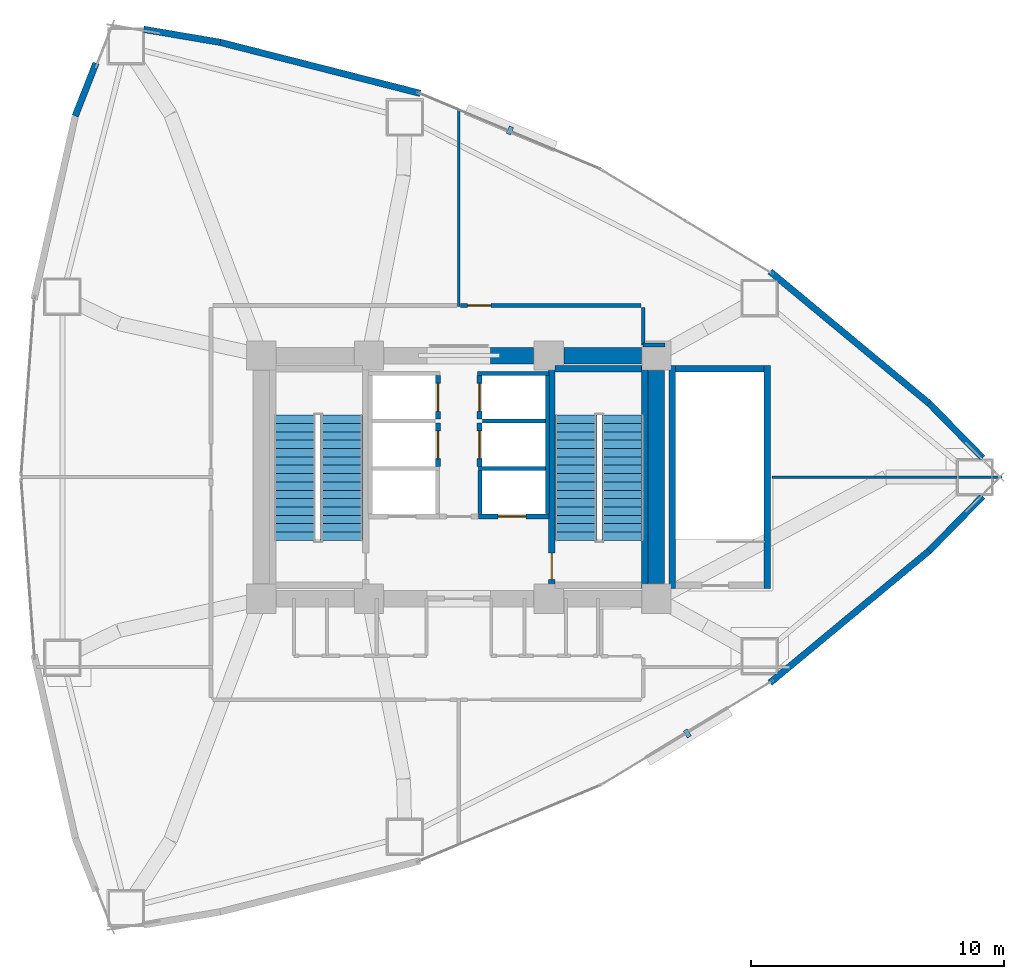
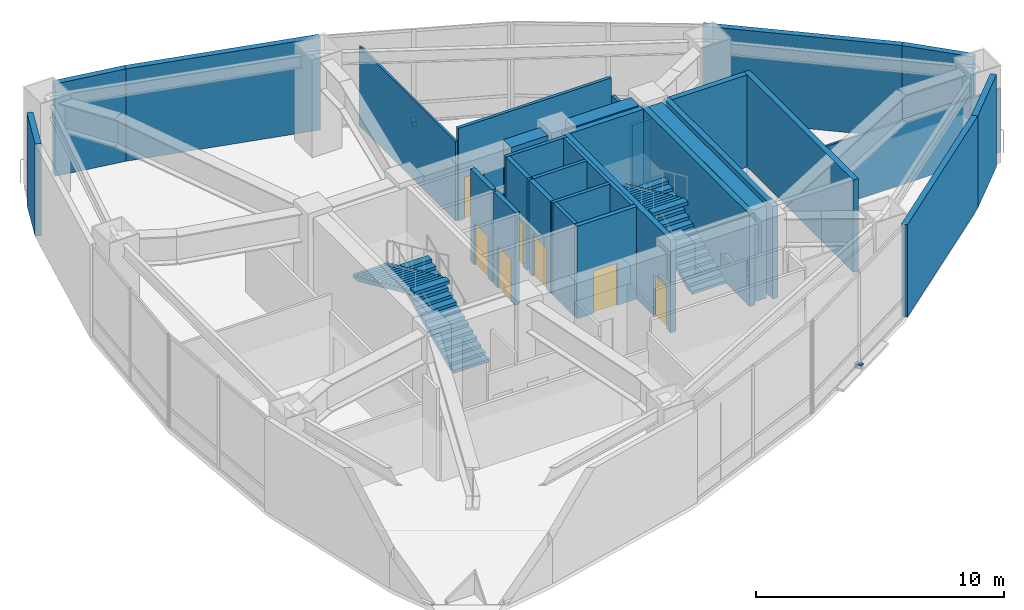
# One storey, part 17 of 19: 31 walls, 7 doors, 4 stair flights, 2 discrete accessories, 7 openings, 2 elements without a shape of their own.
"""IFC4 building model written with IfcOpenShell, lengths in metres."""

from ifc_helpers import new_model, si_unit, direction, frame, frame_2d, origin, origin_2d, place, context, subcontext, project, spatial, polyline, rectangle, outline, extrude, material, layer, layer_set, type_object, element, fill, aggregate, save


model = new_model("IFC4")

# Units and contexts
model_context = context("Model", 3, precision=1e-05, world=origin(), true_north=direction((0.0, 1.0)))
body_context = subcontext(model_context, "Body", "Model", "MODEL_VIEW")
ifc_project = project(units=[si_unit("LENGTHUNIT", "METRE"), si_unit("AREAUNIT", "SQUARE_METRE"), si_unit("VOLUMEUNIT", "CUBIC_METRE"), si_unit("PLANEANGLEUNIT", "RADIAN"), si_unit("MASSUNIT", "GRAM", prefix="KILO")], contexts=[model_context])

# Site, building, storey
site_placement = place(None, origin())
site = spatial("IfcSite", under=ifc_project, at=site_placement, CompositionType="ELEMENT")
building_placement = place(site_placement, origin())
building = spatial("IfcBuilding", under=site, at=building_placement, Name="Menara Vayukalpa", CompositionType="ELEMENT")
storey_placement = place(building_placement, frame((0.0, 0.0, 22.800048828125)))
storey = spatial("IfcBuildingStorey", under=building, at=storey_placement, Name="L04", CompositionType="ELEMENT", Elevation=22.800048828125)

# Walls
ifc_material_1 = material(Name="Concrete C80/95", Category="concrete")
ifc_layer_1 = layer(ifc_material_1, 0.64990234375)
ifc_layer_set_1 = layer_set([ifc_layer_1], Name="Concrete C80/95")
wall_type_1 = type_object("IfcWallType", Name="WAL-CW650", PredefinedType="SHEAR", material=ifc_layer_set_1)
wall_1_placement = place(storey_placement, frame((26.85009765625, 26.800048828125, 0.0), z_axis=(0.0, 0.0, 1.0), x_axis=(1.0, 0.0, 0.0)))
element("IfcWall", 1, at=wall_1_placement, inside=storey, type_object=wall_type_1, Name="L04 Buttressed Core Shear Wall CWN3", PredefinedType="SHEAR", context=body_context, shape_type="SweptSolid", body=[
    extrude(rectangle(XDim=1.704833984375, YDim=0.64990234375, at=frame_2d((0.8525390625, 0.0))), origin(), (0.0, 0.0, 1.0), 4.550048828125),
])
wall_2_placement = place(storey_placement, frame((29.7451171875, 26.800048828125, 0.0), z_axis=(0.0, 0.0, 1.0), x_axis=(1.0, 0.0, 0.0)))
element("IfcWall", 2, at=wall_2_placement, inside=storey, type_object=wall_type_1, Name="L04 Buttressed Core Shear Wall CWN4", PredefinedType="SHEAR", context=body_context, shape_type="SweptSolid", body=[
    extrude(rectangle(XDim=3.059814453125, YDim=0.64990234375, at=frame_2d((1.52978515625, 0.0))), origin(), (0.0, 0.0, 1.0), 4.550048828125),
])
wall_3_placement = place(storey_placement, frame((33.39990234375, 17.794921875, 0.0), z_axis=(0.0, 0.0, 1.0), x_axis=(0.0, 1.0, 0.0)))
element("IfcWall", 3, at=wall_3_placement, inside=storey, type_object=wall_type_1, Name="L04 Buttressed Core Shear Wall CWE1", PredefinedType="SHEAR", context=body_context, shape_type="SweptSolid", body=[
    extrude(rectangle(XDim=8.41015625, YDim=0.64990234375, at=frame_2d((4.205078125, 0.0))), origin(), (0.0, 0.0, 1.0), 4.550048828125),
])
ifc_material_2 = material(Name="Insulated Precast Concrete C40/50", Category="concrete")
ifc_layer_2 = layer(ifc_material_2, 0.260009765625)
ifc_layer_set_2 = layer_set([ifc_layer_2], Name="Insulated Precast Concrete C40/50")
wall_type_2 = type_object("IfcWallType", Name="WAL-EXT260", PredefinedType="PARTITIONING", material=ifc_layer_set_2)
for number, where, z_axis, x_axis, name in (
    (4, (46.28466796875, 21.24169921875, 0.0), (0.0, 0.0, 1.0), (-0.700577373018, -0.713576446091, 0.0), "L04 Perimeter Terracotta Pier Wall 01"),
    (5, (44.166259765625, 24.916015625, 0.0), (0.0, 0.0, 1.0), (0.700577373018, -0.713576446091, 0.0), "L04 Perimeter Terracotta Pier Wall 02"),
):
    element("IfcWall", number, at=place(storey_placement, frame(where, z_axis=z_axis, x_axis=x_axis)), inside=storey, type_object=wall_type_2, Name=name, PredefinedType="PARTITIONING", context=body_context, shape_type="SweptSolid", body=[
        extrude(rectangle(XDim=3.023681640625, YDim=0.260009765625, at=frame_2d((1.51171875, 0.0))), origin(), (0.0, 0.0, 1.0), 4.550048828125),
    ])
for number, where, z_axis, x_axis, name in (
    (6, (37.888427734375, 30.121337890625, 0.0), (0.0, 0.0, 1.0), (0.769752944783, -0.638341917782, 0.0), "L04 Perimeter Terracotta Pier Wall 03"),
    (7, (16.167724609375, 39.171142578125, 0.0), (0.0, 0.0, 1.0), (0.968981557045, -0.247133045354, 0.0), "L04 Perimeter Terracotta Pier Wall 06"),
):
    element("IfcWall", number, at=place(storey_placement, frame(where, z_axis=z_axis, x_axis=x_axis)), inside=storey, type_object=wall_type_2, Name=name, PredefinedType="PARTITIONING", context=body_context, shape_type="SweptSolid", body=[
        extrude(rectangle(XDim=8.1669921875, YDim=0.260009765625, at=frame_2d((4.08349609375, 0.0))), origin(), (0.0, 0.0, 1.0), 4.550048828125),
    ])
wall_4_placement = place(storey_placement, frame((13.158203125, 39.681396484375, 0.0), z_axis=(0.0, 0.0, 1.0), x_axis=(0.985905166387, -0.167305119144, 0.0)))
element("IfcWall", 8, at=wall_4_placement, inside=storey, type_object=wall_type_2, Name="L04 Perimeter Terracotta Pier Wall 07", PredefinedType="PARTITIONING", context=body_context, shape_type="SweptSolid", body=[
    extrude(rectangle(XDim=3.064453125, YDim=0.260009765625, at=frame_2d((1.5322265625, 0.0))), origin(), (0.0, 0.0, 1.0), 4.550048828125),
])
wall_5_placement = place(storey_placement, frame((10.4560546875, 36.2578125, 0.0), z_axis=(0.0, 0.0, 1.0), x_axis=(0.365527759733, 0.930800438797, 0.0)))
element("IfcWall", 9, at=wall_5_placement, inside=storey, type_object=wall_type_2, Name="L04 Perimeter Terracotta Pier Wall 08", PredefinedType="PARTITIONING", context=body_context, shape_type="SweptSolid", body=[
    extrude(rectangle(XDim=2.242919921875, YDim=0.260009765625, at=frame_2d((1.12158203125, 0.0))), origin(), (0.0, 0.0, 1.0), 4.550048828125),
])
wall_6_placement = place(storey_placement, frame((44.175048828125, 19.092041015625, 0.0), z_axis=(0.0, 0.0, 1.0), x_axis=(-0.769752944783, -0.638341917782, 0.0)))
element("IfcWall", 10, at=wall_6_placement, inside=storey, type_object=wall_type_2, Name="L04 Perimeter Terracotta Pier Wall 18", PredefinedType="PARTITIONING", context=body_context, shape_type="SweptSolid", body=[
    extrude(rectangle(XDim=8.1669921875, YDim=0.260009765625, at=frame_2d((4.08349609375, 0.0))), origin(), (0.0, 0.0, 1.0), 4.550048828125),
])
ifc_material_3 = material(Name="Lightweight Concrete Blockwork C16/20", Category="masonry")
ifc_layer_3 = layer(ifc_material_3, 0.159912109375)
ifc_layer_set_3 = layer_set([ifc_layer_3], Name="Lightweight Concrete Blockwork C16/20")
wall_type_3 = type_object("IfcWallType", Name="WAL-FR150", PredefinedType="PARTITIONING", material=ifc_layer_set_3)
wall_7_placement = place(storey_placement, frame((29.094970703125, 20.56005859375, 0.0), z_axis=(0.0, 0.0, 1.0), x_axis=(0.0, 1.0, 0.0)))
element("IfcWall", 11, at=wall_7_placement, inside=storey, type_object=wall_type_3, Name="L04 Interior Partition IW-L04-SHW-EE", PredefinedType="PARTITIONING", context=body_context, shape_type="SweptSolid", body=[
    extrude(rectangle(XDim=5.449951171875, YDim=0.159912109375, at=frame_2d((2.72509765625, 0.0))), origin(), (0.0, 0.0, 1.0), 4.550048828125),
])
wall_8_placement = place(storey_placement, frame((26.445068359375, 20.56005859375, 0.0), z_axis=(0.0, 0.0, 1.0), x_axis=(0.0, 1.0, 0.0)))
element("IfcWall", 12, at=wall_8_placement, inside=storey, type_object=wall_type_3, Name="L04 Interior Partition IW-L04-SHW-E1W", PredefinedType="PARTITIONING", context=body_context, shape_type="SweptSolid", body=[
    extrude(rectangle(XDim=1.7099609375, YDim=0.159912109375, at=frame_2d((0.85498046875, 0.0))), origin(), (0.0, 0.0, 1.0), 4.550048828125),
])
wall_9_placement = place(storey_placement, frame((26.3701171875, 22.344970703125, 0.0), z_axis=(0.0, 0.0, 1.0), x_axis=(1.0, 0.0, 0.0)))
element("IfcWall", 13, at=wall_9_placement, inside=storey, type_object=wall_type_3, Name="L04 Interior Partition IW-L04-SHM-E13", PredefinedType="PARTITIONING", context=body_context, shape_type="SweptSolid", body=[
    extrude(rectangle(XDim=2.64990234375, YDim=0.159912109375, at=frame_2d((1.324951171875, 0.0))), origin(), (0.0, 0.0, 1.0), 4.550048828125),
])
wall_10_placement = place(storey_placement, frame((26.530029296875, 24.215087890625, 0.0), z_axis=(0.0, 0.0, 1.0), x_axis=(1.0, 0.0, 0.0)))
element("IfcWall", 14, at=wall_10_placement, inside=storey, type_object=wall_type_3, Name="L04 Interior Partition IW-L04-SHM-E32", PredefinedType="PARTITIONING", context=body_context, shape_type="SweptSolid", body=[
    extrude(rectangle(XDim=2.489990234375, YDim=0.159912109375, at=frame_2d((1.2451171875, 0.0))), origin(), (0.0, 0.0, 1.0), 4.550048828125),
])
wall_11_placement = place(storey_placement, frame((26.340087890625, 26.0849609375, 0.0), z_axis=(0.0, 0.0, 1.0), x_axis=(1.0, 0.0, 0.0)))
element("IfcWall", 15, at=wall_11_placement, inside=storey, type_object=wall_type_3, Name="L04 Interior Partition IW-L04-SHM-E2N", PredefinedType="PARTITIONING", context=body_context, shape_type="SweptSolid", body=[
    extrude(rectangle(XDim=2.829833984375, YDim=0.159912109375, at=frame_2d((1.4150390625, 0.0))), origin(), (0.0, 0.0, 1.0), 4.550048828125),
])

# Wall, opening, door
ifc_material_4 = material(Name="Lightweight Concrete Blockwork C16/20", Category="masonry")
ifc_layer_4 = layer(ifc_material_4, 0.199951171875)
ifc_layer_set_4 = layer_set([ifc_layer_4], Name="Lightweight Concrete Blockwork C16/20")
wall_type_4 = type_object("IfcWallType", Name="WAL-FR200", PredefinedType="PARTITIONING", material=ifc_layer_set_4)
wall_12_placement = place(storey_placement, frame((26.3701171875, 20.449951171875, 0.0), z_axis=(0.0, 0.0, 1.0), x_axis=(1.0, 0.0, 0.0)))
wall_12 = element("IfcWall", 16, at=wall_12_placement, inside=storey, type_object=wall_type_4, Name="L04 Interior Partition IW-L04-SH-E1", PredefinedType="PARTITIONING", context=body_context, shape_type="SweptSolid", body=[
    extrude(rectangle(XDim=2.7998046875, YDim=0.199951171875, at=frame_2d((1.39990234375, 0.0))), origin(), (0.0, 0.0, 1.0), 4.550048828125),
])
opening_1_placement = place(wall_12_placement, frame((0.780029296875, 0.0, 0.0)))
opening_1 = element("IfcOpeningElement", 17, at=opening_1_placement, cuts=wall_12, Name="Opening LD1", PredefinedType="OPENING", context=body_context, shape_type="SweptSolid", body=[
    extrude(rectangle(XDim=1.10009765625, YDim=2.080078125, at=frame_2d((0.550048828125, 1.0400390625))), frame((0.0, 0.10986328125, 0.0), z_axis=(0.0, -1.0, 0.0), x_axis=(1.0, 0.0, 0.0)), (0.0, 0.0, 1.0), 0.219970703125),
])
ifc_material_5 = material(Name="Brushed Stainless Steel 316 Lift Door", Category="steel")
door_type_1 = type_object("IfcDoorType", Name="DR-LD110", OperationType="NOTDEFINED", PredefinedType="DOOR", material=ifc_material_5)
door_1_placement = place(opening_1_placement, origin())
door_1 = element("IfcDoor", 18, at=door_1_placement, inside=storey, type_object=door_type_1, Name="L04 Interior Door DR-L04-LD-E1", OperationType="DOUBLE_DOOR_SLIDING", OverallHeight=2.080078125, OverallWidth=1.10009765625, PredefinedType="DOOR", context=body_context, shape_type="SweptSolid", body=[
    extrude(rectangle(XDim=1.10009765625, YDim=2.080078125, at=frame_2d((0.550048828125, 1.0400390625))), frame((0.0, 0.02490234375, 0.0), z_axis=(0.0, -1.0, 0.0), x_axis=(1.0, 0.0, 0.0)), (0.0, 0.0, 1.0), 0.050048828125),
])
fill(opening_1, door_1)

wall_13_placement = place(storey_placement, frame((24.780029296875, 22.419921875, 0.0), z_axis=(0.0, 0.0, 1.0), x_axis=(0.0, 1.0, 0.0)))
wall_13 = element("IfcWall", 19, at=wall_13_placement, inside=storey, type_object=wall_type_4, Name="L04 Interior Partition IW-L04-SH-W2", PredefinedType="PARTITIONING", context=body_context, shape_type="SweptSolid", body=[
    extrude(rectangle(XDim=1.719970703125, YDim=0.199951171875, at=frame_2d((0.85986328125, 0.0))), origin(), (0.0, 0.0, 1.0), 4.550048828125),
])
opening_2_placement = place(wall_13_placement, frame((0.31005859375, 0.0, 0.0)))
opening_2 = element("IfcOpeningElement", 20, at=opening_2_placement, cuts=wall_13, Name="Opening LD1", PredefinedType="OPENING", context=body_context, shape_type="SweptSolid", body=[
    extrude(rectangle(XDim=1.10009765625, YDim=2.080078125, at=frame_2d((0.550048828125, 1.0400390625))), frame((0.0, 0.10986328125, 0.0), z_axis=(0.0, -1.0, 0.0), x_axis=(1.0, 0.0, 0.0)), (0.0, 0.0, 1.0), 0.219970703125),
])
door_2_placement = place(opening_2_placement, origin())
door_2 = element("IfcDoor", 21, at=door_2_placement, inside=storey, type_object=door_type_1, Name="L04 Interior Door DR-L04-LD-W2", OperationType="DOUBLE_DOOR_SLIDING", OverallHeight=2.080078125, OverallWidth=1.10009765625, PredefinedType="DOOR", context=body_context, shape_type="SweptSolid", body=[
    extrude(rectangle(XDim=1.10009765625, YDim=2.080078125, at=frame_2d((0.550048828125, 1.0400390625))), frame((0.0, 0.02490234375, 0.0), z_axis=(0.0, -1.0, 0.0), x_axis=(1.0, 0.0, 0.0)), (0.0, 0.0, 1.0), 0.050048828125),
])
fill(opening_2, door_2)

wall_14_placement = place(storey_placement, frame((24.780029296875, 24.2900390625, 0.0), z_axis=(0.0, 0.0, 1.0), x_axis=(0.0, 1.0, 0.0)))
wall_14 = element("IfcWall", 22, at=wall_14_placement, inside=storey, type_object=wall_type_4, Name="L04 Interior Partition IW-L04-SH-W3", PredefinedType="PARTITIONING", context=body_context, shape_type="SweptSolid", body=[
    extrude(rectangle(XDim=1.719970703125, YDim=0.199951171875, at=frame_2d((0.85986328125, 0.0))), origin(), (0.0, 0.0, 1.0), 4.550048828125),
])
opening_3_placement = place(wall_14_placement, frame((0.31005859375, 0.0, 0.0)))
opening_3 = element("IfcOpeningElement", 23, at=opening_3_placement, cuts=wall_14, Name="Opening LD1", PredefinedType="OPENING", context=body_context, shape_type="SweptSolid", body=[
    extrude(rectangle(XDim=1.10009765625, YDim=2.080078125, at=frame_2d((0.550048828125, 1.0400390625))), frame((0.0, 0.10986328125, 0.0), z_axis=(0.0, -1.0, 0.0), x_axis=(1.0, 0.0, 0.0)), (0.0, 0.0, 1.0), 0.219970703125),
])
door_3_placement = place(opening_3_placement, origin())
door_3 = element("IfcDoor", 24, at=door_3_placement, inside=storey, type_object=door_type_1, Name="L04 Interior Door DR-L04-LD-W3", OperationType="DOUBLE_DOOR_SLIDING", OverallHeight=2.080078125, OverallWidth=1.10009765625, PredefinedType="DOOR", context=body_context, shape_type="SweptSolid", body=[
    extrude(rectangle(XDim=1.10009765625, YDim=2.080078125, at=frame_2d((0.550048828125, 1.0400390625))), frame((0.0, 0.02490234375, 0.0), z_axis=(0.0, -1.0, 0.0), x_axis=(1.0, 0.0, 0.0)), (0.0, 0.0, 1.0), 0.050048828125),
])
fill(opening_3, door_3)

wall_15_placement = place(storey_placement, frame((26.419921875, 22.419921875, 0.0), z_axis=(0.0, 0.0, 1.0), x_axis=(0.0, 1.0, 0.0)))
wall_15 = element("IfcWall", 25, at=wall_15_placement, inside=storey, type_object=wall_type_4, Name="L04 Interior Partition IW-L04-SH-E3", PredefinedType="PARTITIONING", context=body_context, shape_type="SweptSolid", body=[
    extrude(rectangle(XDim=1.719970703125, YDim=0.199951171875, at=frame_2d((0.85986328125, 0.0))), origin(), (0.0, 0.0, 1.0), 4.550048828125),
])
opening_4_placement = place(wall_15_placement, frame((0.31005859375, 0.0, 0.0)))
opening_4 = element("IfcOpeningElement", 26, at=opening_4_placement, cuts=wall_15, Name="Opening LD1", PredefinedType="OPENING", context=body_context, shape_type="SweptSolid", body=[
    extrude(rectangle(XDim=1.10009765625, YDim=2.080078125, at=frame_2d((0.550048828125, 1.0400390625))), frame((0.0, 0.10986328125, 0.0), z_axis=(0.0, -1.0, 0.0), x_axis=(1.0, 0.0, 0.0)), (0.0, 0.0, 1.0), 0.219970703125),
])
door_4_placement = place(opening_4_placement, origin())
door_4 = element("IfcDoor", 27, at=door_4_placement, inside=storey, type_object=door_type_1, Name="L04 Interior Door DR-L04-LD-E3", OperationType="DOUBLE_DOOR_SLIDING", OverallHeight=2.080078125, OverallWidth=1.10009765625, PredefinedType="DOOR", context=body_context, shape_type="SweptSolid", body=[
    extrude(rectangle(XDim=1.10009765625, YDim=2.080078125, at=frame_2d((0.550048828125, 1.0400390625))), frame((0.0, 0.02490234375, 0.0), z_axis=(0.0, -1.0, 0.0), x_axis=(1.0, 0.0, 0.0)), (0.0, 0.0, 1.0), 0.050048828125),
])
fill(opening_4, door_4)

wall_16_placement = place(storey_placement, frame((26.419921875, 24.2900390625, 0.0), z_axis=(0.0, 0.0, 1.0), x_axis=(0.0, 1.0, 0.0)))
wall_16 = element("IfcWall", 28, at=wall_16_placement, inside=storey, type_object=wall_type_4, Name="L04 Interior Partition IW-L04-SH-E2", PredefinedType="PARTITIONING", context=body_context, shape_type="SweptSolid", body=[
    extrude(rectangle(XDim=1.719970703125, YDim=0.199951171875, at=frame_2d((0.85986328125, 0.0))), origin(), (0.0, 0.0, 1.0), 4.550048828125),
])
opening_5_placement = place(wall_16_placement, frame((0.31005859375, 0.0, 0.0)))
opening_5 = element("IfcOpeningElement", 29, at=opening_5_placement, cuts=wall_16, Name="Opening LD1", PredefinedType="OPENING", context=body_context, shape_type="SweptSolid", body=[
    extrude(rectangle(XDim=1.10009765625, YDim=2.080078125, at=frame_2d((0.550048828125, 1.0400390625))), frame((0.0, 0.10986328125, 0.0), z_axis=(0.0, -1.0, 0.0), x_axis=(1.0, 0.0, 0.0)), (0.0, 0.0, 1.0), 0.219970703125),
])
door_5_placement = place(opening_5_placement, origin())
door_5 = element("IfcDoor", 30, at=door_5_placement, inside=storey, type_object=door_type_1, Name="L04 Interior Door DR-L04-LD-E2", OperationType="DOUBLE_DOOR_SLIDING", OverallHeight=2.080078125, OverallWidth=1.10009765625, PredefinedType="DOOR", context=body_context, shape_type="SweptSolid", body=[
    extrude(rectangle(XDim=1.10009765625, YDim=2.080078125, at=frame_2d((0.550048828125, 1.0400390625))), frame((0.0, 0.02490234375, 0.0), z_axis=(0.0, -1.0, 0.0), x_axis=(1.0, 0.0, 0.0)), (0.0, 0.0, 1.0), 0.050048828125),
])
fill(opening_5, door_5)

# Walls
ifc_material_6 = material(Name="Glazed Demountable Office Partition", Category="glass")
ifc_layer_5 = layer(ifc_material_6, 0.094970703125)
ifc_layer_set_5 = layer_set([ifc_layer_5], Name="Glazed Demountable Office Partition")
wall_type_5 = type_object("IfcWallType", Name="WAL-PT100", PredefinedType="PARTITIONING", material=ifc_layer_set_5)
wall_17_placement = place(storey_placement, frame((25.60009765625, 28.72998046875, 0.0), z_axis=(0.0, 0.0, 1.0), x_axis=(0.0, 1.0, 0.0)))
element("IfcWall", 31, at=wall_17_placement, inside=storey, type_object=wall_type_5, Name="L04 Interior Partition IW-L04-RDIV02", PredefinedType="PARTITIONING", context=body_context, shape_type="SweptSolid", body=[
    extrude(rectangle(XDim=7.781005859375, YDim=0.094970703125, at=frame_2d((3.890625, 0.0))), origin(), (0.0, 0.0, 1.0), 3.929931640625),
])
wall_18_placement = place(storey_placement, frame((37.9599609375, 22.0, 0.0), z_axis=(0.0, 0.0, 1.0), x_axis=(1.0, 0.0, 0.0)))
element("IfcWall", 32, at=wall_18_placement, inside=storey, type_object=wall_type_5, Name="L04 Interior Partition IW-L04-RDIV06", PredefinedType="PARTITIONING", context=body_context, shape_type="SweptSolid", body=[
    extrude(rectangle(XDim=9.079345703125, YDim=0.094970703125, at=frame_2d((4.53955078125, 0.0))), origin(), (0.0, 0.0, 1.0), 3.1298828125),
])
ifc_material_7 = material(Name="Gypsum Drywall Acoustic Stud Assembly", Category="masonry")
ifc_layer_6 = layer(ifc_material_7, 0.14501953125)
ifc_layer_set_6 = layer_set([ifc_layer_6], Name="Gypsum Drywall Acoustic Stud Assembly")
wall_type_6 = type_object("IfcWallType", Name="WAL-PT150", PredefinedType="PARTITIONING", material=ifc_layer_set_6)
wall_19_placement = place(storey_placement, frame((33.739990234375, 27.219970703125, 0.0), z_axis=(0.0, 0.0, 1.0), x_axis=(-1.0, 0.0, 0.0)))
element("IfcWall", 33, at=wall_19_placement, inside=storey, type_object=wall_type_6, Name="L04 Interior Partition IW-L04-CRM06-1", PredefinedType="PARTITIONING", context=body_context, shape_type="SweptSolid", body=[
    extrude(rectangle(XDim=0.860107421875, YDim=0.14501953125, at=frame_2d((0.43017578125, 0.0))), origin(), (0.0, 0.0, 1.0), 3.1298828125),
])
wall_20_placement = place(storey_placement, frame((32.8798828125, 27.219970703125, 0.0), z_axis=(0.0, 0.0, 1.0), x_axis=(0.0, 1.0, 0.0)))
element("IfcWall", 34, at=wall_20_placement, inside=storey, type_object=wall_type_6, Name="L04 Interior Partition IW-L04-CRM06-2", PredefinedType="PARTITIONING", context=body_context, shape_type="SweptSolid", body=[
    extrude(rectangle(XDim=1.47998046875, YDim=0.14501953125, at=frame_2d((0.739990234375, 0.0))), origin(), (0.0, 0.0, 1.0), 3.679931640625),
])

# Wall, opening, door
wall_21_placement = place(storey_placement, frame((32.800048828125, 28.780029296875, 0.0), z_axis=(0.0, 0.0, 1.0), x_axis=(-1.0, 0.0, 0.0)))
wall_21 = element("IfcWall", 35, at=wall_21_placement, inside=storey, type_object=wall_type_6, Name="L04 Interior Partition IW-L04-CRM06-3", PredefinedType="PARTITIONING", context=body_context, shape_type="SweptSolid", body=[
    extrude(rectangle(XDim=7.130126953125, YDim=0.14501953125, at=frame_2d((3.56494140625, 0.0))), origin(), (0.0, 0.0, 1.0), 4.550048828125),
])
opening_6_placement = place(wall_21_placement, frame((5.929931640625, 0.0, 0.0)))
opening_6 = element("IfcOpeningElement", 36, at=opening_6_placement, cuts=wall_21, Name="Opening ID6", PredefinedType="OPENING", context=body_context, shape_type="SweptSolid", body=[
    extrude(rectangle(XDim=0.919921875, YDim=2.050048828125, at=frame_2d((0.4599609375, 1.02490234375))), frame((0.0, 0.08251953125, 0.0), z_axis=(0.0, -1.0, 0.0), x_axis=(1.0, 0.0, 0.0)), (0.0, 0.0, 1.0), 0.1650390625),
])
ifc_material_8 = material(Name="Acoustic Hardwood Veneer Timber Door", Category="wood")
door_type_2 = type_object("IfcDoorType", Name="DR-INT92", OperationType="NOTDEFINED", PredefinedType="DOOR", material=ifc_material_8)
door_6_placement = place(opening_6_placement, origin())
door_6 = element("IfcDoor", 37, at=door_6_placement, inside=storey, type_object=door_type_2, Name="L04 Interior Door DR-L04-RM06", OperationType="SINGLE_SWING_RIGHT", OverallHeight=2.050048828125, OverallWidth=0.919921875, PredefinedType="DOOR", context=body_context, shape_type="SweptSolid", body=[
    extrude(rectangle(XDim=0.919921875, YDim=2.050048828125, at=frame_2d((0.4599609375, 1.02490234375))), frame((0.0, 0.02490234375, 0.0), z_axis=(0.0, -1.0, 0.0), x_axis=(1.0, 0.0, 0.0)), (0.0, 0.0, 1.0), 0.050048828125),
])
fill(opening_6, door_6)

ifc_material_9 = material(Name="Concrete C50/60", Category="concrete")
ifc_layer_7 = layer(ifc_material_9, 0.25)
ifc_layer_set_7 = layer_set([ifc_layer_7], Name="Concrete C50/60")
wall_type_7 = type_object("IfcWallType", Name="WAL-SW250", PredefinedType="SHEAR", material=ifc_layer_set_7)
wall_22_placement = place(storey_placement, frame((29.27490234375, 17.60009765625, 0.0), z_axis=(0.0, 0.0, 1.0), x_axis=(0.0, 1.0, 0.0)))
wall_22 = element("IfcWall", 38, at=wall_22_placement, inside=storey, type_object=wall_type_7, Name="L04 ST2 Structural Stair Shaft Wall W", PredefinedType="SHEAR", context=body_context, shape_type="SweptSolid", body=[
    extrude(rectangle(XDim=8.7998046875, YDim=0.25, at=frame_2d((4.39990234375, 0.0))), origin(), (0.0, 0.0, 1.0), 4.550048828125),
])
opening_7_placement = place(wall_22_placement, frame((0.35009765625, 0.0, 0.0)))
opening_7 = element("IfcOpeningElement", 39, at=opening_7_placement, cuts=wall_22, Name="Opening ID1", PredefinedType="OPENING", context=body_context, shape_type="SweptSolid", body=[
    extrude(rectangle(XDim=1.050048828125, YDim=2.080078125, at=frame_2d((0.52490234375, 1.0400390625))), frame((0.0, 0.135009765625, 0.0), z_axis=(0.0, -1.0, 0.0), x_axis=(1.0, 0.0, 0.0)), (0.0, 0.0, 1.0), 0.27001953125),
])
ifc_material_10 = material(Name="Fire-Rated Powder-Coated Steel Door", Category="steel")
door_type_3 = type_object("IfcDoorType", Name="DR-FD120", OperationType="NOTDEFINED", PredefinedType="DOOR", material=ifc_material_10)
door_7_placement = place(opening_7_placement, origin())
door_7 = element("IfcDoor", 40, at=door_7_placement, inside=storey, type_object=door_type_3, Name="L04 Stair Exit Door DR-L04-ST2", OperationType="SINGLE_SWING_RIGHT", OverallHeight=2.080078125, OverallWidth=1.050048828125, PredefinedType="DOOR", context=body_context, shape_type="SweptSolid", body=[
    extrude(rectangle(XDim=1.050048828125, YDim=2.080078125, at=frame_2d((0.52490234375, 1.0400390625))), frame((0.0, 0.02490234375, 0.0), z_axis=(0.0, -1.0, 0.0), x_axis=(1.0, 0.0, 0.0)), (0.0, 0.0, 1.0), 0.050048828125),
])
fill(opening_7, door_7)

# Walls
wall_23_placement = place(storey_placement, frame((32.946044921875, 17.60009765625, 0.0), z_axis=(0.0, 0.0, 1.0), x_axis=(0.0, 1.0, 0.0)))
element("IfcWall", 41, at=wall_23_placement, inside=storey, type_object=wall_type_7, Name="L04 ST2 Structural Stair Shaft Wall E", PredefinedType="SHEAR", context=body_context, shape_type="SweptSolid", body=[
    extrude(rectangle(XDim=8.7998046875, YDim=0.25, at=frame_2d((4.39990234375, 0.0))), origin(), (0.0, 0.0, 1.0), 4.550048828125),
])
wall_24_placement = place(storey_placement, frame((29.39990234375, 26.27490234375, 0.0), z_axis=(0.0, 0.0, 1.0), x_axis=(1.0, 0.0, 0.0)))
element("IfcWall", 42, at=wall_24_placement, inside=storey, type_object=wall_type_7, Name="L04 ST2 Structural Stair Shaft Wall N", PredefinedType="SHEAR", context=body_context, shape_type="SweptSolid", body=[
    extrude(rectangle(XDim=3.421142578125, YDim=0.25, at=frame_2d((1.71044921875, 0.0))), origin(), (0.0, 0.0, 1.0), 4.550048828125),
])
for number, where, z_axis, x_axis, name in (
    (43, (34.02490234375, 17.60009765625, 0.0), (0.0, 0.0, 1.0), (0.0, 1.0, 0.0), "L04 ST3 Structural Stair Shaft Wall W"),
    (44, (37.77490234375, 17.60009765625, 0.0), (0.0, 0.0, 1.0), (0.0, 1.0, 0.0), "L04 ST3 Structural Stair Shaft Wall E"),
):
    element("IfcWall", number, at=place(storey_placement, frame(where, z_axis=z_axis, x_axis=x_axis)), inside=storey, type_object=wall_type_7, Name=name, PredefinedType="SHEAR", context=body_context, shape_type="SweptSolid", body=[
        extrude(rectangle(XDim=8.7998046875, YDim=0.25, at=frame_2d((4.39990234375, 0.0))), origin(), (0.0, 0.0, 1.0), 4.550048828125),
    ])
wall_25_placement = place(storey_placement, frame((34.14990234375, 26.27490234375, 0.0), z_axis=(0.0, 0.0, 1.0), x_axis=(1.0, 0.0, 0.0)))
element("IfcWall", 45, at=wall_25_placement, inside=storey, type_object=wall_type_7, Name="L04 ST3 Structural Stair Shaft Wall N", PredefinedType="SHEAR", context=body_context, shape_type="SweptSolid", body=[
    extrude(rectangle(XDim=3.5, YDim=0.25, at=frame_2d((1.75, 0.0))), origin(), (0.0, 0.0, 1.0), 4.550048828125),
])

# Stair, stair flights
ifc_material_11 = material(Name="Precast Concrete C40/50", Category="concrete")
stair_type = type_object("IfcStairType", Name="STR-T01", PredefinedType="DOUBLE_RETURN_STAIR", material=ifc_material_11)
stair_1_placement = place(storey_placement, origin())
stair_1 = element("IfcStair", 46, at=stair_1_placement, inside=storey, type_object=stair_type, Name="L04 Core Exit Stair ST-1", PredefinedType="DOUBLE_RETURN_STAIR")
ifc_material_12 = material(Name="Precast Concrete C40/50", Category="concrete")
stair_flight_type = type_object("IfcStairFlightType", Name="STF-T01", PredefinedType="STRAIGHT", material=ifc_material_12)
stair_flight_1_placement = place(storey_placement, frame((20.97509765625, 19.5, 0.0), z_axis=(0.0, 0.0, 1.0), x_axis=(0.0, 1.0, 0.0)))
stair_flight_1 = element("IfcStairFlight", 47, at=stair_flight_1_placement, type_object=stair_flight_type, Name="ST-1 flight 1", NumberOfRisers=16, NumberOfTreads=15, PredefinedType="STRAIGHT", RiserHeight=0.15, TreadLength=0.33, context=body_context, shape_type="SweptSolid", body=[
    extrude(outline(polyline([(0.0, 0.0), (0.0, 0.14990234375), (0.330078125, 0.14990234375), (0.330078125, 0.300048828125), (0.659912109375, 0.300048828125), (0.659912109375, 0.449951171875), (0.989990234375, 0.449951171875), (0.989990234375, 0.60009765625), (1.320068359375, 0.60009765625), (1.320068359375, 0.75), (1.64990234375, 0.75), (1.64990234375, 0.89990234375), (1.97998046875, 0.89990234375), (1.97998046875, 1.050048828125), (2.31005859375, 1.050048828125), (2.31005859375, 1.199951171875), (2.639892578125, 1.199951171875), (2.639892578125, 1.35009765625), (2.969970703125, 1.35009765625), (2.969970703125, 1.5), (3.300048828125, 1.5), (3.300048828125, 1.64990234375), (3.6298828125, 1.64990234375), (3.6298828125, 1.800048828125), (3.9599609375, 1.800048828125), (3.9599609375, 1.949951171875), (4.2900390625, 1.949951171875), (4.2900390625, 2.10009765625), (4.6201171875, 2.10009765625), (4.6201171875, 2.25), (4.949951171875, 2.25), (4.949951171875, 2.39990234375), (4.949951171875, 2.08544921875), (0.3623046875, 0.0), (0.0, 0.0)])), frame((0.0, 0.824951171875, 0.0), z_axis=(0.0, -1.0, 0.0), x_axis=(1.0, 0.0, 0.0)), (0.0, 0.0, 1.0), 1.64990234375),
])
stair_flight_2_placement = place(storey_placement, frame((19.125, 24.449951171875, 2.39990234375), z_axis=(0.0, 0.0, 1.0), x_axis=(0.0, -1.0, 0.0)))
stair_flight_2 = element("IfcStairFlight", 48, at=stair_flight_2_placement, type_object=stair_flight_type, Name="ST-1 flight 2", NumberOfRisers=16, NumberOfTreads=15, PredefinedType="STRAIGHT", RiserHeight=0.15, TreadLength=0.33, context=body_context, shape_type="SweptSolid", body=[
    extrude(outline(polyline([(0.0, 0.0), (0.0, 0.14990234375), (0.330078125, 0.14990234375), (0.330078125, 0.300048828125), (0.659912109375, 0.300048828125), (0.659912109375, 0.449951171875), (0.989990234375, 0.449951171875), (0.989990234375, 0.60009765625), (1.320068359375, 0.60009765625), (1.320068359375, 0.75), (1.64990234375, 0.75), (1.64990234375, 0.89990234375), (1.97998046875, 0.89990234375), (1.97998046875, 1.050048828125), (2.31005859375, 1.050048828125), (2.31005859375, 1.199951171875), (2.639892578125, 1.199951171875), (2.639892578125, 1.35009765625), (2.969970703125, 1.35009765625), (2.969970703125, 1.5), (3.300048828125, 1.5), (3.300048828125, 1.64990234375), (3.6298828125, 1.64990234375), (3.6298828125, 1.800048828125), (3.9599609375, 1.800048828125), (3.9599609375, 1.949951171875), (4.2900390625, 1.949951171875), (4.2900390625, 2.10009765625), (4.6201171875, 2.10009765625), (4.6201171875, 2.25), (4.949951171875, 2.25), (4.949951171875, 2.39990234375), (4.949951171875, 2.08544921875), (0.3623046875, 0.0), (0.0, 0.0)])), frame((0.0, 0.824951171875, 0.0), z_axis=(0.0, -1.0, 0.0), x_axis=(1.0, 0.0, 0.0)), (0.0, 0.0, 1.0), 1.64990234375),
])
aggregate(stair_1, [stair_flight_1, stair_flight_2])

stair_2_placement = place(storey_placement, origin())
stair_2 = element("IfcStair", 49, at=stair_2_placement, inside=storey, type_object=stair_type, Name="L04 Core Exit Stair ST-2", PredefinedType="DOUBLE_RETURN_STAIR")
stair_flight_3_placement = place(storey_placement, frame((32.074951171875, 19.5, 0.0), z_axis=(0.0, 0.0, 1.0), x_axis=(0.0, 1.0, 0.0)))
stair_flight_3 = element("IfcStairFlight", 50, at=stair_flight_3_placement, type_object=stair_flight_type, Name="ST-2 flight 1", NumberOfRisers=16, NumberOfTreads=15, PredefinedType="STRAIGHT", RiserHeight=0.15, TreadLength=0.33, context=body_context, shape_type="SweptSolid", body=[
    extrude(outline(polyline([(0.0, 0.0), (0.0, 0.14990234375), (0.330078125, 0.14990234375), (0.330078125, 0.300048828125), (0.659912109375, 0.300048828125), (0.659912109375, 0.449951171875), (0.989990234375, 0.449951171875), (0.989990234375, 0.60009765625), (1.320068359375, 0.60009765625), (1.320068359375, 0.75), (1.64990234375, 0.75), (1.64990234375, 0.89990234375), (1.97998046875, 0.89990234375), (1.97998046875, 1.050048828125), (2.31005859375, 1.050048828125), (2.31005859375, 1.199951171875), (2.639892578125, 1.199951171875), (2.639892578125, 1.35009765625), (2.969970703125, 1.35009765625), (2.969970703125, 1.5), (3.300048828125, 1.5), (3.300048828125, 1.64990234375), (3.6298828125, 1.64990234375), (3.6298828125, 1.800048828125), (3.9599609375, 1.800048828125), (3.9599609375, 1.949951171875), (4.2900390625, 1.949951171875), (4.2900390625, 2.10009765625), (4.6201171875, 2.10009765625), (4.6201171875, 2.25), (4.949951171875, 2.25), (4.949951171875, 2.39990234375), (4.949951171875, 2.08544921875), (0.3623046875, 0.0), (0.0, 0.0)])), frame((0.0, 0.824951171875, 0.0), z_axis=(0.0, -1.0, 0.0), x_axis=(1.0, 0.0, 0.0)), (0.0, 0.0, 1.0), 1.64990234375),
])
stair_flight_4_placement = place(storey_placement, frame((30.22509765625, 24.449951171875, 2.39990234375), z_axis=(0.0, 0.0, 1.0), x_axis=(0.0, -1.0, 0.0)))
stair_flight_4 = element("IfcStairFlight", 51, at=stair_flight_4_placement, type_object=stair_flight_type, Name="ST-2 flight 2", NumberOfRisers=16, NumberOfTreads=15, PredefinedType="STRAIGHT", RiserHeight=0.15, TreadLength=0.33, context=body_context, shape_type="SweptSolid", body=[
    extrude(outline(polyline([(0.0, 0.0), (0.0, 0.14990234375), (0.330078125, 0.14990234375), (0.330078125, 0.300048828125), (0.659912109375, 0.300048828125), (0.659912109375, 0.449951171875), (0.989990234375, 0.449951171875), (0.989990234375, 0.60009765625), (1.320068359375, 0.60009765625), (1.320068359375, 0.75), (1.64990234375, 0.75), (1.64990234375, 0.89990234375), (1.97998046875, 0.89990234375), (1.97998046875, 1.050048828125), (2.31005859375, 1.050048828125), (2.31005859375, 1.199951171875), (2.639892578125, 1.199951171875), (2.639892578125, 1.35009765625), (2.969970703125, 1.35009765625), (2.969970703125, 1.5), (3.300048828125, 1.5), (3.300048828125, 1.64990234375), (3.6298828125, 1.64990234375), (3.6298828125, 1.800048828125), (3.9599609375, 1.800048828125), (3.9599609375, 1.949951171875), (4.2900390625, 1.949951171875), (4.2900390625, 2.10009765625), (4.6201171875, 2.10009765625), (4.6201171875, 2.25), (4.949951171875, 2.25), (4.949951171875, 2.39990234375), (4.949951171875, 2.08544921875), (0.3623046875, 0.0), (0.0, 0.0)])), frame((0.0, 0.824951171875, 0.0), z_axis=(0.0, -1.0, 0.0), x_axis=(1.0, 0.0, 0.0)), (0.0, 0.0, 1.0), 1.64990234375),
])
aggregate(stair_2, [stair_flight_3, stair_flight_4])

# Discrete accessories
ifc_material_13 = material(Name="Stainless Steel 316 Sunshade Bracket", Category="steel")
discrete_accessory_type = type_object("IfcDiscreteAccessoryType", Name="ACC-BRK1", PredefinedType="BRACKET", material=ifc_material_13)
for number, where, z_axis, x_axis, name in (
    (52, (27.61962890625, 35.68798828125, -0.16015625), (0.0, 0.0, 1.0), (-0.922544824647, 0.385889940938, 0.0), "L04 Terracotta Sunshade Bracket 05"),
    (53, (34.622802734375, 11.878662109375, -0.16015625), (0.0, 0.0, 1.0), (0.85466730962, 0.519176068272, 0.0), "L04 Terracotta Sunshade Bracket 17"),
):
    element("IfcDiscreteAccessory", number, at=place(storey_placement, frame(where, z_axis=z_axis, x_axis=x_axis)), inside=storey, type_object=discrete_accessory_type, Name=name, PredefinedType="BRACKET", context=body_context, shape_type="SweptSolid", body=[
        extrude(rectangle(XDim=0.179931640625, YDim=0.320068359375, at=origin_2d()), origin(), (0.0, 0.0, 1.0), 0.219970703125),
    ])

save(model, "model.ifc")
